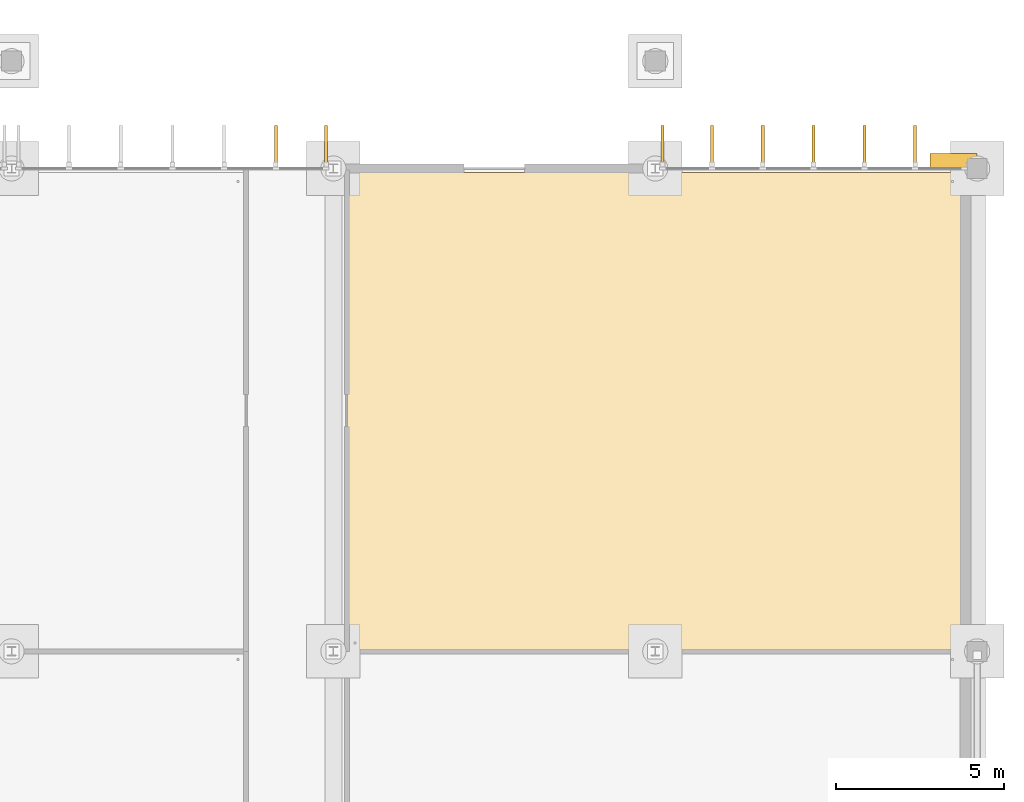
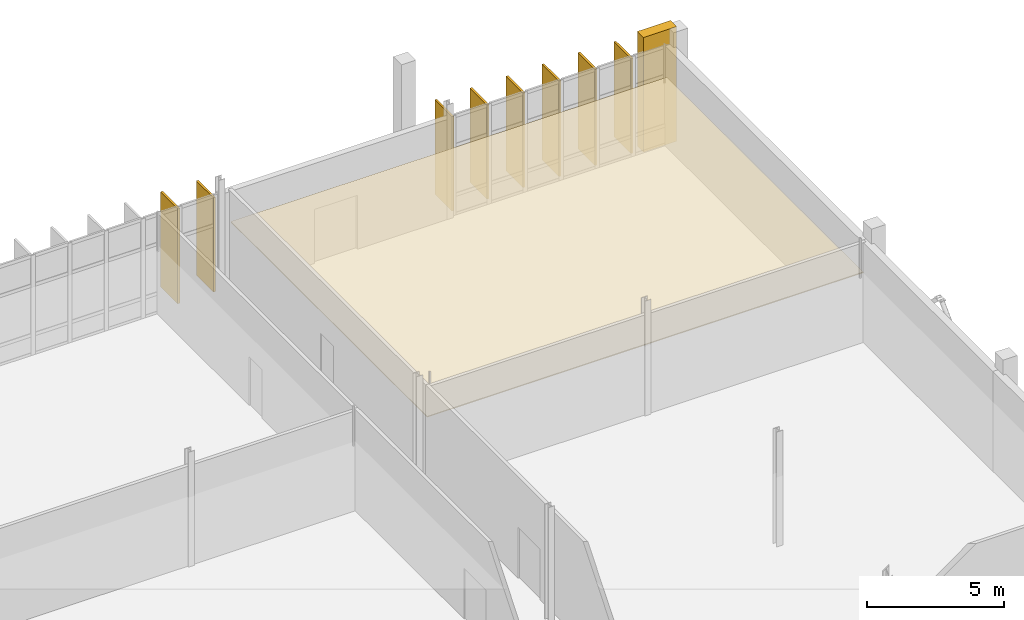
# One storey, part 110 of 111: 10 coverings.
"""IFC4 building model written with IfcOpenShell, lengths in metres."""

from ifc_helpers import new_model, si_unit, direction, frame, origin, origin_2d, place, context, subcontext, project, spatial, polyline, rectangle, outline, extrude, material, layer, layer_set, type_object, element, save


model = new_model("IFC4")

# Units and contexts
model_context = context("Model", 3, precision=1e-05, world=origin(), true_north=direction((0.0, 1.0)))
body_context = subcontext(model_context, "Body", "Model", "MODEL_VIEW")
ifc_project = project(units=[si_unit("LENGTHUNIT", "METRE"), si_unit("AREAUNIT", "SQUARE_METRE"), si_unit("VOLUMEUNIT", "CUBIC_METRE"), si_unit("PLANEANGLEUNIT", "RADIAN"), si_unit("MASSUNIT", "GRAM", prefix="KILO")], contexts=[model_context])

# Site, building, storey
site_placement = place(None, origin())
site = spatial("IfcSite", under=ifc_project, at=site_placement, CompositionType="ELEMENT")
building_placement = place(site_placement, origin())
building = spatial("IfcBuilding", under=site, at=building_placement, Name="Dunescarp Central Library", CompositionType="ELEMENT")
storey_placement = place(building_placement, origin())
storey = spatial("IfcBuildingStorey", under=building, at=storey_placement, Name="L00", CompositionType="ELEMENT", Elevation=0.0)

# Coverings
ifc_material_1 = material(Name="Mineral-fibre acoustic ceiling tile")
ifc_layer_1 = layer(ifc_material_1, 0.0400390625)
ifc_layer_set_1 = layer_set([ifc_layer_1], Name="Mineral-fibre acoustic ceiling tile")
covering_type_1 = type_object("IfcCoveringType", Name="ARC-COV-CEIL40", PredefinedType="CEILING", material=ifc_layer_set_1)
covering_1_placement = place(storey_placement, frame((0.0, 0.0, 3.050048828125)))
element("IfcCovering", 1, at=covering_1_placement, inside=storey, type_object=covering_type_1, Name="L00 ceiling Garden Periodicals & Botanical Salon", PredefinedType="CEILING", context=body_context, shape_type="SweptSolid", body=[
    extrude(outline(polyline([(149.179931640625, 30.3798828125), (167.530029296875, 30.3798828125), (167.530029296875, 44.679931640625), (149.179931640625, 44.679931640625), (149.179931640625, 30.3798828125)])), origin(), (0.0, 0.0, 1.0), 0.0400390625),
])
ifc_material_2 = material(Name="Glass-fibre reinforced concrete GRC", Category="concrete")
ifc_layer_2 = layer(ifc_material_2, 0.090087890625)
ifc_layer_set_2 = layer_set([ifc_layer_2], Name="Glass-fibre reinforced concrete GRC")
covering_type_2 = type_object("IfcCoveringType", Name="ARC-COV-FIN1250", PredefinedType="CLADDING", material=ifc_layer_set_2)
covering_2_placement = place(storey_placement, frame((147.0830078125, 45.4619140625, 0.08056640625), z_axis=(0.0, 0.0, 1.0), x_axis=(0.0, 1.0, 0.0)))
element("IfcCovering", 2, at=covering_2_placement, inside=storey, type_object=covering_type_2, Name="L00 parametric vertical facade fin FIN-L00-0946", PredefinedType="CLADDING", context=body_context, shape_type="SweptSolid", body=[
    extrude(rectangle(XDim=1.25, YDim=0.090087890625, at=origin_2d()), origin(), (0.0, 0.0, 1.0), 4.220947265625),
])
covering_3_placement = place(storey_placement, frame((148.5849609375, 45.4619140625, 0.080078125), z_axis=(0.0, 0.0, 1.0), x_axis=(0.0, 1.0, 0.0)))
element("IfcCovering", 3, at=covering_3_placement, inside=storey, type_object=covering_type_2, Name="L00 parametric vertical facade fin FIN-L00-0947", PredefinedType="CLADDING", context=body_context, shape_type="SweptSolid", body=[
    extrude(rectangle(XDim=1.25, YDim=0.090087890625, at=origin_2d()), origin(), (0.0, 0.0, 1.0), 4.18798828125),
])
covering_4_placement = place(storey_placement, frame((158.614990234375, 45.4619140625, 0.16650390625), z_axis=(0.0, 0.0, 1.0), x_axis=(0.0, 1.0, 0.0)))
element("IfcCovering", 4, at=covering_4_placement, inside=storey, type_object=covering_type_2, Name="L00 parametric vertical facade fin FIN-L00-0948", PredefinedType="CLADDING", context=body_context, shape_type="SweptSolid", body=[
    extrude(rectangle(XDim=1.25, YDim=0.090087890625, at=origin_2d()), origin(), (0.0, 0.0, 1.0), 4.195068359375),
])
covering_5_placement = place(storey_placement, frame((160.090087890625, 45.4619140625, 0.18017578125), z_axis=(0.0, 0.0, 1.0), x_axis=(0.0, 1.0, 0.0)))
element("IfcCovering", 5, at=covering_5_placement, inside=storey, type_object=covering_type_2, Name="L00 parametric vertical facade fin FIN-L00-0949", PredefinedType="CLADDING", context=body_context, shape_type="SweptSolid", body=[
    extrude(rectangle(XDim=1.25, YDim=0.090087890625, at=origin_2d()), origin(), (0.0, 0.0, 1.0), 4.181884765625),
])
covering_6_placement = place(storey_placement, frame((161.60498046875, 45.4619140625, 0.1640625), z_axis=(0.0, 0.0, 1.0), x_axis=(0.0, 1.0, 0.0)))
element("IfcCovering", 6, at=covering_6_placement, inside=storey, type_object=covering_type_2, Name="L00 parametric vertical facade fin FIN-L00-0950", PredefinedType="CLADDING", context=body_context, shape_type="SweptSolid", body=[
    extrude(rectangle(XDim=1.25, YDim=0.090087890625, at=origin_2d()), origin(), (0.0, 0.0, 1.0), 4.197998046875),
])
covering_7_placement = place(storey_placement, frame((163.1201171875, 45.4619140625, 0.12353515625), z_axis=(0.0, 0.0, 1.0), x_axis=(0.0, 1.0, 0.0)))
element("IfcCovering", 7, at=covering_7_placement, inside=storey, type_object=covering_type_2, Name="L00 parametric vertical facade fin FIN-L00-0951", PredefinedType="CLADDING", context=body_context, shape_type="SweptSolid", body=[
    extrude(rectangle(XDim=1.25, YDim=0.090087890625, at=origin_2d()), origin(), (0.0, 0.0, 1.0), 4.239013671875),
])
covering_8_placement = place(storey_placement, frame((164.635009765625, 45.4619140625, 0.08056640625), z_axis=(0.0, 0.0, 1.0), x_axis=(0.0, 1.0, 0.0)))
element("IfcCovering", 8, at=covering_8_placement, inside=storey, type_object=covering_type_2, Name="L00 parametric vertical facade fin FIN-L00-0952", PredefinedType="CLADDING", context=body_context, shape_type="SweptSolid", body=[
    extrude(rectangle(XDim=1.25, YDim=0.090087890625, at=origin_2d()), origin(), (0.0, 0.0, 1.0), 4.27099609375),
])
covering_9_placement = place(storey_placement, frame((166.14990234375, 45.4619140625, 0.08056640625), z_axis=(0.0, 0.0, 1.0), x_axis=(0.0, 1.0, 0.0)))
element("IfcCovering", 9, at=covering_9_placement, inside=storey, type_object=covering_type_2, Name="L00 parametric vertical facade fin FIN-L00-0953", PredefinedType="CLADDING", context=body_context, shape_type="SweptSolid", body=[
    extrude(rectangle(XDim=1.25, YDim=0.090087890625, at=origin_2d()), origin(), (0.0, 0.0, 1.0), 4.220947265625),
])
ifc_layer_3 = layer(ifc_material_2, 0.449951171875)
ifc_layer_set_3 = layer_set([ifc_layer_3], Name="Glass-fibre reinforced concrete GRC")
covering_type_3 = type_object("IfcCoveringType", Name="ARC-COV-PORTAL", PredefinedType="CLADDING", material=ifc_layer_set_3)
covering_10_placement = place(storey_placement, frame((167.300048828125, 45.02001953125, 0.0), z_axis=(0.0, 0.0, 1.0), x_axis=(1.0, 0.0, 0.0)))
element("IfcCovering", 10, at=covering_10_placement, inside=storey, type_object=covering_type_3, Name="V5 sculpted GRC portal pier PRT-BAND-V5-052", PredefinedType="CLADDING", context=body_context, shape_type="SweptSolid", body=[
    extrude(rectangle(XDim=1.39990234375, YDim=0.449951171875, at=origin_2d()), origin(), (0.0, 0.0, 1.0), 5.10009765625),
])

save(model, "model.ifc")
